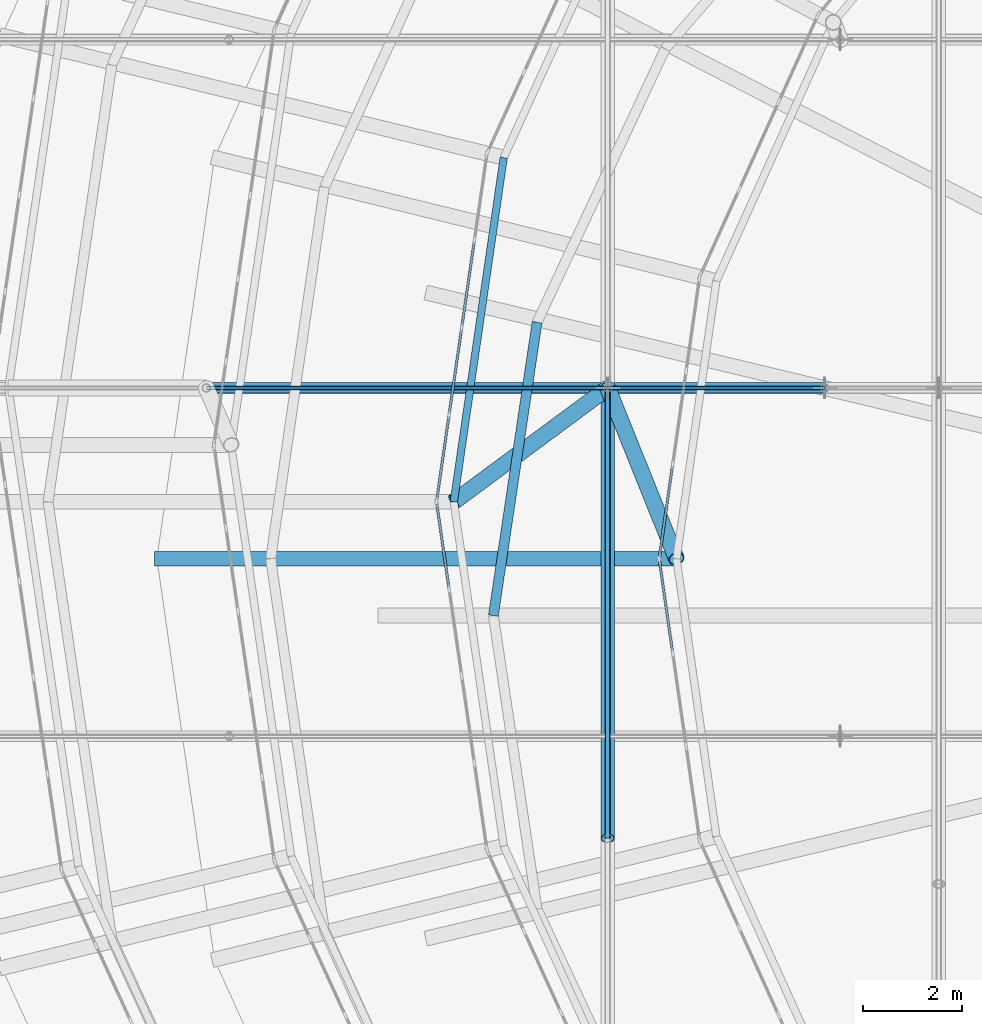
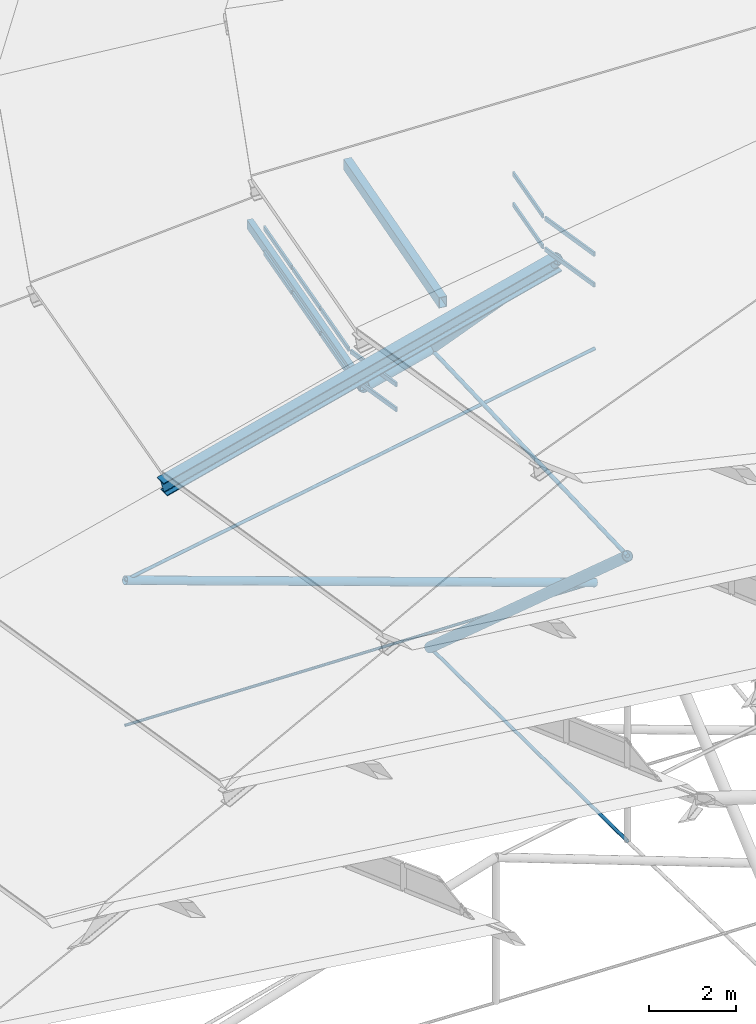
# One storey, part 38 of 173: 23 members, 4 elements without a shape of their own.
"""IFC4 building model written with IfcOpenShell, lengths in metres."""

from ifc_helpers import new_model, si_unit, direction, frame, origin, origin_2d, place, context, subcontext, project, spatial, rectangle, hollow_rectangle, circle, hollow_circle, i_section, extrude, material, material_profile, profile_set, type_object, element, aggregate, save


model = new_model("IFC4")

# Units and contexts
model_context = context("Model", 3, precision=1e-05, world=origin(), true_north=direction((0.0, 1.0)))
body_context = subcontext(model_context, "Body", "Model", "MODEL_VIEW")
ifc_project = project(units=[si_unit("LENGTHUNIT", "METRE"), si_unit("AREAUNIT", "SQUARE_METRE"), si_unit("VOLUMEUNIT", "CUBIC_METRE"), si_unit("PLANEANGLEUNIT", "RADIAN"), si_unit("MASSUNIT", "GRAM", prefix="KILO")], contexts=[model_context])

# Site, building, storey
site_placement = place(None, origin())
site = spatial("IfcSite", under=ifc_project, at=site_placement, CompositionType="ELEMENT")
building_placement = place(site_placement, origin())
building = spatial("IfcBuilding", under=site, at=building_placement, Name="Glasvene Arena", CompositionType="ELEMENT")
storey_placement = place(building_placement, frame((0.0, 0.0, 28.800048828125)))
storey = spatial("IfcBuildingStorey", under=building, at=storey_placement, Name="RF", CompositionType="ELEMENT", Elevation=28.800048828125)

# Curtain wall, members
ifc_material_1 = material(Name="Low-emissivity laminated double glazing", Category="glass")
curtain_wall_type_1 = type_object("IfcCurtainWallType", Name="CW-PET3-711x75", PredefinedType="USERDEFINED", material=ifc_material_1)
curtain_wall_1_placement = place(storey_placement, frame((60.17041015625, 77.739990234375, 0.0)))
curtain_wall_1 = element("IfcCurtainWall", 1, at=curtain_wall_1_placement, inside=storey, type_object=curtain_wall_type_1, Name="Petal ring 3-4 clerestory curtain wall 12", ObjectType="CURTAIN WALL", PredefinedType="USERDEFINED")
ifc_material_2 = material(Name="Anodised architectural aluminium", Category="aluminium")
ifc_material_profile_1 = material_profile(ifc_material_2, rectangle(XDim=0.050048828125, YDim=0.1201171875, at=origin_2d()), Name="ALU TRANSOM 50x120")
ifc_profile_set_1 = profile_set([ifc_material_profile_1], Name="Anodised architectural aluminium")
member_type_1 = type_object("IfcMemberType", Name="CW-TRN-120", PredefinedType="USERDEFINED", material=ifc_profile_set_1)
member_1_placement = place(storey_placement, frame((59.911865234375, 75.955078125, 7.85498046875), z_axis=(-0.143517295736, -0.989647808983, 0.0), x_axis=(0.989647808983, -0.143517295736, 0.0)))
member_1 = element("IfcMember", 2, at=member_1_placement, type_object=member_type_1, Name="CW-093 transom 2.1", ObjectType="TRANSOM", PredefinedType="USERDEFINED", context=body_context, shape_type="SweptSolid", body=[
    extrude(rectangle(XDim=0.050048828125, YDim=0.1201171875, at=origin_2d()), origin(), (0.0, 0.0, 1.0), 1.728271484375),
])
member_2_placement = place(storey_placement, frame((59.911865234375, 75.955078125, 8.554931640625), z_axis=(-0.143517295736, -0.989647808983, 0.0), x_axis=(0.989647808983, -0.143517295736, 0.0)))
member_2 = element("IfcMember", 3, at=member_2_placement, type_object=member_type_1, Name="CW-093 transom 2.2", ObjectType="TRANSOM", PredefinedType="USERDEFINED", context=body_context, shape_type="SweptSolid", body=[
    extrude(rectangle(XDim=0.050048828125, YDim=0.1201171875, at=origin_2d()), origin(), (0.0, 0.0, 1.0), 1.728271484375),
])
member_3_placement = place(storey_placement, frame((59.65673828125, 74.1953125, 7.85498046875), z_axis=(-0.143497235531, -0.989650717877, 0.0), x_axis=(0.989650717877, -0.143497235531, 0.0)))
member_3 = element("IfcMember", 4, at=member_3_placement, type_object=member_type_1, Name="CW-093 transom 3.1", ObjectType="TRANSOM", PredefinedType="USERDEFINED", context=body_context, shape_type="SweptSolid", body=[
    extrude(rectangle(XDim=0.050048828125, YDim=0.1201171875, at=origin_2d()), origin(), (0.0, 0.0, 1.0), 1.728515625),
])
member_4_placement = place(storey_placement, frame((59.65673828125, 74.1953125, 8.554931640625), z_axis=(-0.143497235531, -0.989650717877, 0.0), x_axis=(0.989650717877, -0.143497235531, 0.0)))
member_4 = element("IfcMember", 5, at=member_4_placement, type_object=member_type_1, Name="CW-093 transom 3.2", ObjectType="TRANSOM", PredefinedType="USERDEFINED", context=body_context, shape_type="SweptSolid", body=[
    extrude(rectangle(XDim=0.050048828125, YDim=0.1201171875, at=origin_2d()), origin(), (0.0, 0.0, 1.0), 1.728515625),
])
member_5_placement = place(storey_placement, frame((59.401611328125, 72.435302734375, 7.85498046875), z_axis=(-0.143467726456, -0.989654996181, 0.0), x_axis=(0.989654996181, -0.143467726456, 0.0)))
member_5 = element("IfcMember", 6, at=member_5_placement, type_object=member_type_1, Name="CW-093 transom 4.1", ObjectType="TRANSOM", PredefinedType="USERDEFINED", context=body_context, shape_type="SweptSolid", body=[
    extrude(rectangle(XDim=0.050048828125, YDim=0.1201171875, at=origin_2d()), origin(), (0.0, 0.0, 1.0), 1.703369140625),
])
member_6_placement = place(storey_placement, frame((59.401611328125, 72.435302734375, 8.554931640625), z_axis=(-0.143467726456, -0.989654996181, 0.0), x_axis=(0.989654996181, -0.143467726456, 0.0)))
member_6 = element("IfcMember", 7, at=member_6_placement, type_object=member_type_1, Name="CW-093 transom 4.2", ObjectType="TRANSOM", PredefinedType="USERDEFINED", context=body_context, shape_type="SweptSolid", body=[
    extrude(rectangle(XDim=0.050048828125, YDim=0.1201171875, at=origin_2d()), origin(), (0.0, 0.0, 1.0), 1.703369140625),
])
aggregate(curtain_wall_1, [member_1, member_2, member_3, member_4, member_5, member_6])

curtain_wall_2_placement = place(storey_placement, frame((59.14990234375, 70.699951171875, 0.0)))
curtain_wall_2 = element("IfcCurtainWall", 8, at=curtain_wall_2_placement, inside=storey, type_object=curtain_wall_type_1, Name="Petal ring 3-4 clerestory curtain wall 13", ObjectType="CURTAIN WALL", PredefinedType="USERDEFINED")
member_7_placement = place(storey_placement, frame((59.1572265625, 70.650634765625, 7.85498046875), z_axis=(0.143467726456, -0.989654996181, 0.0), x_axis=(0.989654996181, 0.143467726456, 0.0)))
member_7 = element("IfcMember", 9, at=member_7_placement, type_object=member_type_1, Name="CW-093 transom 1.1", ObjectType="TRANSOM", PredefinedType="USERDEFINED", context=body_context, shape_type="SweptSolid", body=[
    extrude(rectangle(XDim=0.050048828125, YDim=0.1201171875, at=origin_2d()), origin(), (0.0, 0.0, 1.0), 1.703369140625),
])
member_8_placement = place(storey_placement, frame((59.1572265625, 70.650634765625, 8.554931640625), z_axis=(0.143467726456, -0.989654996181, 0.0), x_axis=(0.989654996181, 0.143467726456, 0.0)))
member_8 = element("IfcMember", 10, at=member_8_placement, type_object=member_type_1, Name="CW-093 transom 1.2", ObjectType="TRANSOM", PredefinedType="USERDEFINED", context=body_context, shape_type="SweptSolid", body=[
    extrude(rectangle(XDim=0.050048828125, YDim=0.1201171875, at=origin_2d()), origin(), (0.0, 0.0, 1.0), 1.703369140625),
])
aggregate(curtain_wall_2, [member_7, member_8])

curtain_wall_type_2 = type_object("IfcCurtainWallType", Name="CW-PET4-575x92", PredefinedType="USERDEFINED", material=ifc_material_1)
curtain_wall_3_placement = place(storey_placement, frame((64.4677734375, 75.243896484375, 0.0)))
curtain_wall_3 = element("IfcCurtainWall", 11, at=curtain_wall_3_placement, inside=storey, type_object=curtain_wall_type_2, Name="Petal ring 4-5 clerestory curtain wall 12", ObjectType="CURTAIN WALL", PredefinedType="USERDEFINED")
member_9_placement = place(storey_placement, frame((63.9189453125, 71.42333984375, 10.554931640625), z_axis=(-0.142052081175, -0.989859185053, 0.0), x_axis=(0.989859185053, -0.142052081175, 0.0)))
member_9 = element("IfcMember", 12, at=member_9_placement, type_object=member_type_1, Name="CW-099 transom 3.1", ObjectType="TRANSOM", PredefinedType="USERDEFINED", context=body_context, shape_type="SweptSolid", body=[
    extrude(rectangle(XDim=0.050048828125, YDim=0.1201171875, at=origin_2d()), origin(), (0.0, 0.0, 1.0), 1.842529296875),
])
member_10_placement = place(storey_placement, frame((63.9189453125, 71.42333984375, 11.4208984375), z_axis=(-0.142052081175, -0.989859185053, 0.0), x_axis=(0.989859185053, -0.142052081175, 0.0)))
member_10 = element("IfcMember", 13, at=member_10_placement, type_object=member_type_1, Name="CW-099 transom 3.2", ObjectType="TRANSOM", PredefinedType="USERDEFINED", context=body_context, shape_type="SweptSolid", body=[
    extrude(rectangle(XDim=0.050048828125, YDim=0.1201171875, at=origin_2d()), origin(), (0.0, 0.0, 1.0), 1.842529296875),
])
aggregate(curtain_wall_3, [member_9, member_10])

curtain_wall_4_placement = place(storey_placement, frame((63.64990234375, 69.550048828125, 0.0)))
curtain_wall_4 = element("IfcCurtainWall", 14, at=curtain_wall_4_placement, inside=storey, type_object=curtain_wall_type_2, Name="Petal ring 4-5 clerestory curtain wall 13", ObjectType="CURTAIN WALL", PredefinedType="USERDEFINED")
member_11_placement = place(storey_placement, frame((63.6572265625, 69.50048828125, 10.554931640625), z_axis=(0.142052081175, -0.989859185053, 0.0), x_axis=(0.989859185053, 0.142052081175, 0.0)))
member_11 = element("IfcMember", 15, at=member_11_placement, type_object=member_type_1, Name="CW-099 transom 1.1", ObjectType="TRANSOM", PredefinedType="USERDEFINED", context=body_context, shape_type="SweptSolid", body=[
    extrude(rectangle(XDim=0.050048828125, YDim=0.1201171875, at=origin_2d()), origin(), (0.0, 0.0, 1.0), 1.842529296875),
])
member_12_placement = place(storey_placement, frame((63.6572265625, 69.50048828125, 11.4208984375), z_axis=(0.142052081175, -0.989859185053, 0.0), x_axis=(0.989859185053, 0.142052081175, 0.0)))
member_12 = element("IfcMember", 16, at=member_12_placement, type_object=member_type_1, Name="CW-099 transom 1.2", ObjectType="TRANSOM", PredefinedType="USERDEFINED", context=body_context, shape_type="SweptSolid", body=[
    extrude(rectangle(XDim=0.050048828125, YDim=0.1201171875, at=origin_2d()), origin(), (0.0, 0.0, 1.0), 1.842529296875),
])
aggregate(curtain_wall_4, [member_11, member_12])

# Members
ifc_material_3 = material(Name="High-strength steel spiral strand S460", Category="steel")
ifc_material_profile_2 = material_profile(ifc_material_3, circle(Radius=0.052490234375, at=origin_2d()), Name="LCSS D105")
ifc_profile_set_2 = profile_set([ifc_material_profile_2], Name="High-strength steel spiral strand S460")
member_type_2 = type_object("IfcMemberType", Name="MB-CABLE-105", PredefinedType="USERDEFINED", material=ifc_profile_set_2)
member_13_placement = place(storey_placement, frame((62.610595703125, 63.898681640625, 5.6904296875), z_axis=(0.0, 0.999344938409, 0.036189695723), x_axis=(-1.0, 0.0, 0.0)))
element("IfcMember", 17, at=member_13_placement, inside=storey, type_object=member_type_2, Name="Upper lens roof cable NS09-04", ObjectType="ROOF CABLE", PredefinedType="USERDEFINED", context=body_context, shape_type="SweptSolid", body=[
    extrude(circle(Radius=0.052490234375, at=origin_2d()), origin(), (0.0, 0.0, 1.0), 9.107177734375),
])
ifc_material_profile_3 = material_profile(ifc_material_3, circle(Radius=0.03759765625, at=origin_2d()), Name="LCSS D75")
ifc_profile_set_3 = profile_set([ifc_material_profile_3], Name="High-strength steel spiral strand S460")
member_type_3 = type_object("IfcMemberType", Name="MB-CABLE-75", PredefinedType="USERDEFINED", material=ifc_profile_set_3)
member_14_placement = place(storey_placement, frame((54.5, 73.0, -1.753173828125), z_axis=(0.999586974776, 0.0, -0.028738125525), x_axis=(0.0, 1.0, 0.0)))
element("IfcMember", 18, at=member_14_placement, inside=storey, type_object=member_type_3, Name="Lower stabilization roof cable EW04-02", ObjectType="ROOF CABLE", PredefinedType="USERDEFINED", context=body_context, shape_type="SweptSolid", body=[
    extrude(circle(Radius=0.03759765625, at=origin_2d()), origin(), (0.0, 0.0, 1.0), 12.505126953125),
])
ifc_material_profile_4 = material_profile(ifc_material_3, circle(Radius=0.044921875, at=origin_2d()), Name="LCSS D90")
ifc_profile_set_4 = profile_set([ifc_material_profile_4], Name="High-strength steel spiral strand S460")
member_type_4 = type_object("IfcMemberType", Name="MB-CABLE-90", PredefinedType="USERDEFINED", material=ifc_profile_set_4)
member_15_placement = place(storey_placement, frame((62.610595703125, 63.898681640625, -2.328125), z_axis=(0.0, 0.999968691293, -0.00791305464), x_axis=(-1.0, 0.0, 0.0)))
element("IfcMember", 19, at=member_15_placement, inside=storey, type_object=member_type_4, Name="Lower stabilization roof cable NS09-04", ObjectType="ROOF CABLE", PredefinedType="USERDEFINED", context=body_context, shape_type="SweptSolid", body=[
    extrude(circle(Radius=0.044921875, at=origin_2d()), origin(), (0.0, 0.0, 1.0), 9.1015625),
])
member_16_placement = place(storey_placement, frame((54.5, 73.0, 2.328857421875), z_axis=(0.985606679547, 0.0, 0.169054645699), x_axis=(0.0, 1.0, 0.0)))
element("IfcMember", 20, at=member_16_placement, inside=storey, type_object=member_type_4, Name="Upper lens roof cable EW04-02", ObjectType="ROOF CABLE", PredefinedType="USERDEFINED", context=body_context, shape_type="SweptSolid", body=[
    extrude(circle(Radius=0.044921875, at=origin_2d()), origin(), (0.0, 0.0, 1.0), 12.6826171875),
])
ifc_material_4 = material(Name="Steel S355J2", Category="steel")
ifc_material_profile_5 = material_profile(ifc_material_4, i_section(OverallWidth=0.300048828125, OverallDepth=0.39990234375, WebThickness=0.013427734375, FlangeThickness=0.02392578125, FilletRadius=0.027099609375, at=origin_2d()), Name="HEB 400")
ifc_profile_set_5 = profile_set([ifc_material_profile_5], Name="Steel S355J2")
member_type_5 = type_object("IfcMemberType", Name="MB-CHORD-HEB400", PredefinedType="CHORD", material=ifc_profile_set_5)
member_17_placement = place(storey_placement, frame((53.5, 69.550048828125, 7.39990234375), z_axis=(0.969593665978, 0.0, 0.244720499539), x_axis=(0.0, 1.0, 0.0)))
element("IfcMember", 21, at=member_17_placement, inside=storey, type_object=member_type_5, Name="Petal ring 4 radial rib 13", PredefinedType="CHORD", context=body_context, shape_type="SweptSolid", body=[
    extrude(i_section(OverallWidth=0.300048828125, OverallDepth=0.39990234375, WebThickness=0.013427734375, FlangeThickness=0.02392578125, FilletRadius=0.027099609375, at=origin_2d()), origin(), (0.0, 0.0, 1.0), 10.829345703125),
])
ifc_material_profile_6 = material_profile(ifc_material_4, hollow_circle(Radius=0.161865234375, WallThickness=0.01611328125, at=origin_2d()), Name="CHS 323.9x16.0")
ifc_profile_set_6 = profile_set([ifc_material_profile_6], Name="Steel S355J2")
member_type_6 = type_object("IfcMemberType", Name="MB-POST-CHS324", PredefinedType="BRACE", material=ifc_profile_set_6)
member_18_placement = place(storey_placement, frame((62.610595703125, 73.0, 6.02001953125), z_axis=(-0.755332909183, -0.558511210848, 0.342837313696), x_axis=(0.594543652207, -0.804063334334, 0.0)))
element("IfcMember", 22, at=member_18_placement, inside=storey, type_object=member_type_6, Name="Petal ring 3 ridge support post 13", PredefinedType="BRACE", context=body_context, shape_type="SweptSolid", body=[
    extrude(hollow_circle(Radius=0.161865234375, WallThickness=0.01611328125, at=origin_2d()), origin(), (0.0, 0.0, 1.0), 4.1181640625),
])
member_19_placement = place(storey_placement, frame((62.610595703125, 73.0, 6.02001953125), z_axis=(0.250598944921, -0.6222480567, 0.741624921869), x_axis=(0.927600391297, 0.37357397402, 0.0)))
element("IfcMember", 23, at=member_19_placement, inside=storey, type_object=member_type_6, Name="Petal ring 4 ridge support post 13", PredefinedType="BRACE", context=body_context, shape_type="SweptSolid", body=[
    extrude(hollow_circle(Radius=0.161865234375, WallThickness=0.01611328125, at=origin_2d()), origin(), (0.0, 0.0, 1.0), 5.54443359375),
])
ifc_material_profile_7 = material_profile(ifc_material_4, hollow_rectangle(XDim=0.14990234375, YDim=0.25, WallThickness=0.010009765625, at=origin_2d()), Name="RHS 250x150x10.0")
ifc_profile_set_7 = profile_set([ifc_material_profile_7], Name="Steel S355J2")
member_type_7 = type_object("IfcMemberType", Name="MB-PURLIN-RHS250", PredefinedType="PURLIN", material=ifc_profile_set_7)
member_20_placement = place(storey_placement, frame((60.508544921875, 77.654296875, 7.431884765625), z_axis=(-0.14352227887, -0.989647086323, 0.0), x_axis=(0.989647086323, -0.14352227887, 0.0)))
element("IfcMember", 24, at=member_20_placement, inside=storey, type_object=member_type_7, Name="Petal ring 3 ridge purlin 12", PredefinedType="PURLIN", context=body_context, shape_type="SweptSolid", body=[
    extrude(hollow_rectangle(XDim=0.14990234375, YDim=0.25, WallThickness=0.010009765625, at=origin_2d()), origin(), (0.0, 0.0, 1.0), 7.027099609375),
])
ifc_material_profile_8 = material_profile(ifc_material_4, hollow_rectangle(XDim=0.199951171875, YDim=0.300048828125, WallThickness=0.012451171875, at=origin_2d()), Name="RHS 300x200x12.5")
ifc_profile_set_8 = profile_set([ifc_material_profile_8], Name="Steel S355J2")
member_type_8 = type_object("IfcMemberType", Name="MB-PURLIN-RHS300", PredefinedType="PURLIN", material=ifc_profile_set_8)
member_21_placement = place(storey_placement, frame((61.1826171875, 74.326904296875, 10.9013671875), z_axis=(-0.147282469644, -0.989094471795, 0.0), x_axis=(0.989094471795, -0.147282469644, 0.0)))
element("IfcMember", 25, at=member_21_placement, inside=storey, type_object=member_type_8, Name="Petal ring 5 outer purlin 12", PredefinedType="PURLIN", context=body_context, shape_type="SweptSolid", body=[
    extrude(hollow_rectangle(XDim=0.199951171875, YDim=0.300048828125, WallThickness=0.012451171875, at=origin_2d()), origin(), (0.0, 0.0, 1.0), 5.992431640625),
])
ifc_material_profile_9 = material_profile(ifc_material_4, hollow_circle(Radius=0.109619140625, WallThickness=0.010009765625, at=origin_2d()), Name="CHS 219.1x10.0")
ifc_profile_set_9 = profile_set([ifc_material_profile_9], Name="Steel S355J2")
member_type_9 = type_object("IfcMemberType", Name="MB-WEB-CHS219", PredefinedType="BRACE", material=ifc_profile_set_9)
member_22_placement = place(storey_placement, frame((54.5, 73.0, 2.328857421875), z_axis=(0.942286961291, 0.0, -0.334806335934), x_axis=(0.0, 1.0, 0.0)))
element("IfcMember", 26, at=member_22_placement, inside=storey, type_object=member_type_9, Name="Cable-truss diagonal web strut EW04-02", PredefinedType="BRACE", context=body_context, shape_type="SweptSolid", body=[
    extrude(hollow_circle(Radius=0.109619140625, WallThickness=0.010009765625, at=origin_2d()), origin(), (0.0, 0.0, 1.0), 13.265625),
])
ifc_material_profile_10 = material_profile(ifc_material_4, hollow_circle(Radius=0.136474609375, WallThickness=0.012451171875, at=origin_2d()), Name="CHS 273.0x12.5")
ifc_profile_set_10 = profile_set([ifc_material_profile_10], Name="Steel S355J2")
member_type_10 = type_object("IfcMemberType", Name="MB-WEB-CHS273", PredefinedType="BRACE", material=ifc_profile_set_10)
member_23_placement = place(storey_placement, frame((62.610595703125, 63.898681640625, 5.6904296875), z_axis=(0.0, 0.747388301943, -0.66438748191), x_axis=(-1.0, 0.0, 0.0)))
element("IfcMember", 27, at=member_23_placement, inside=storey, type_object=member_type_10, Name="Cable-truss diagonal web strut NS09-04", PredefinedType="BRACE", context=body_context, shape_type="SweptSolid", body=[
    extrude(hollow_circle(Radius=0.136474609375, WallThickness=0.012451171875, at=origin_2d()), origin(), (0.0, 0.0, 1.0), 12.177490234375),
])

save(model, "model.ifc")
